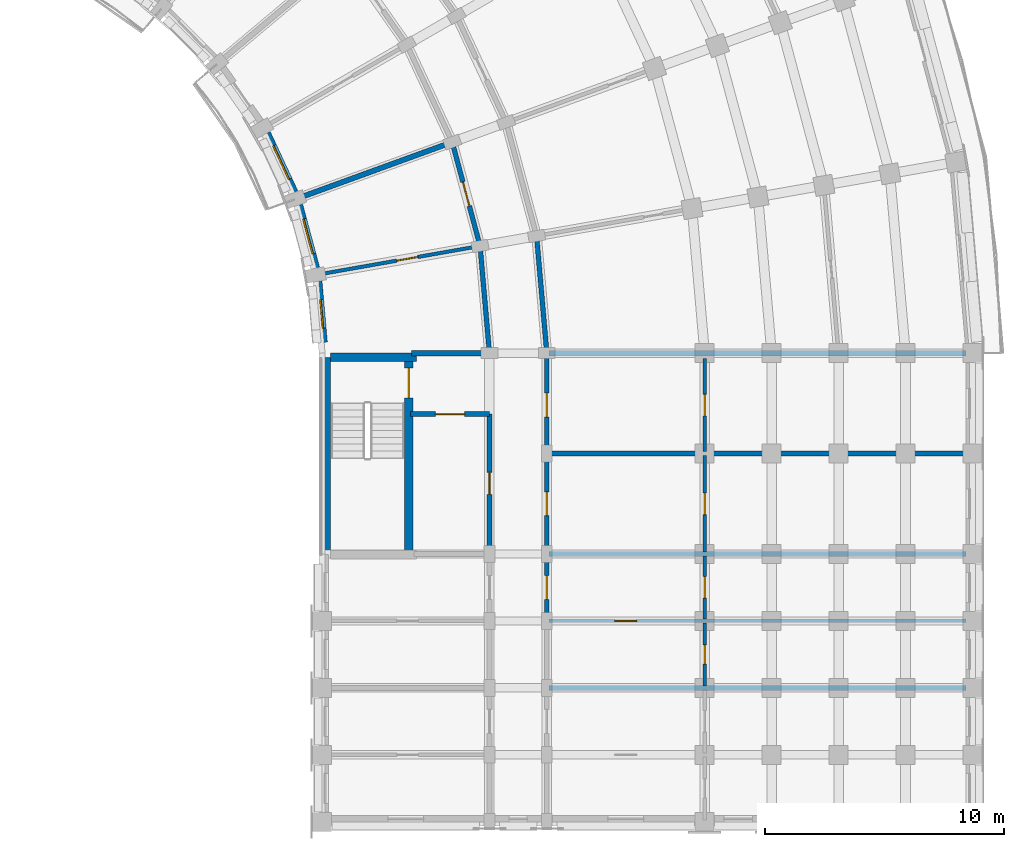
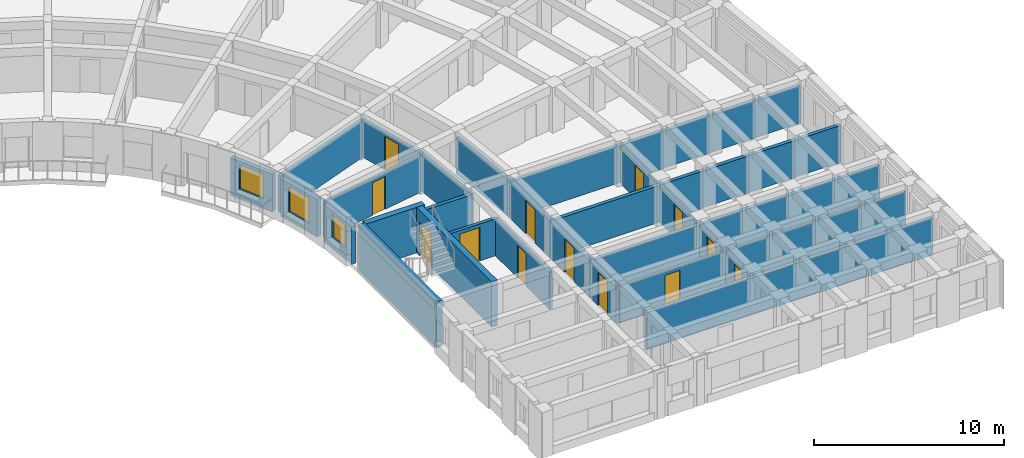
# One storey, part 32 of 54: 26 walls, 13 doors, 3 windows, 16 openings.
"""IFC4 building model written with IfcOpenShell, lengths in metres."""

from ifc_helpers import new_model, si_unit, direction, frame, frame_2d, origin, place, context, subcontext, project, spatial, rectangle, extrude, material, layer, layer_set, type_object, element, fill, save


model = new_model("IFC4")

# Units and contexts
model_context = context("Model", 3, precision=1e-05, world=origin(), true_north=direction((0.0, 1.0)))
body_context = subcontext(model_context, "Body", "Model", "MODEL_VIEW")
ifc_project = project(units=[si_unit("LENGTHUNIT", "METRE"), si_unit("AREAUNIT", "SQUARE_METRE"), si_unit("VOLUMEUNIT", "CUBIC_METRE"), si_unit("PLANEANGLEUNIT", "RADIAN"), si_unit("MASSUNIT", "GRAM", prefix="KILO")], contexts=[model_context])

# Site, building, storey
site_placement = place(None, origin())
site = spatial("IfcSite", under=ifc_project, at=site_placement, CompositionType="ELEMENT")
building_placement = place(site_placement, origin())
building = spatial("IfcBuilding", under=site, at=building_placement, Name="Kiranvali Square Residences", CompositionType="ELEMENT")
storey_placement = place(building_placement, frame((0.0, 0.0, 11.85009765625)))
storey = spatial("IfcBuildingStorey", under=building, at=storey_placement, Name="L03", CompositionType="ELEMENT", Elevation=11.85009765625)

# Wall, opening, door
ifc_material_1 = material(Name="Autoclaved aerated concrete blockwork masonry", Category="masonry")
ifc_layer_1 = layer(ifc_material_1, 0.199951171875)
ifc_layer_set_1 = layer_set([ifc_layer_1], Name="Autoclaved aerated concrete blockwork masonry")
wall_type_1 = type_object("IfcWallType", Name="WL-COR-200", PredefinedType="STANDARD", material=ifc_layer_set_1)
wall_1_placement = place(storey_placement, frame((142.300048828125, 85.25, 0.0), z_axis=(0.0, 0.0, 1.0), x_axis=(1.0, 0.0, 0.0)))
wall_1 = element("IfcWall", 1, at=wall_1_placement, inside=storey, type_object=wall_type_1, Name="L03 architectural wall WL-L03-B-S3-V", PredefinedType="STANDARD", context=body_context, shape_type="SweptSolid", body=[
    extrude(rectangle(XDim=3.300048828125, YDim=0.199951171875, at=frame_2d((1.64990234375, 0.0))), origin(), (0.0, 0.0, 1.0), 2.371826171875),
])
opening_1_placement = place(wall_1_placement, frame((1.0400390625, 0.0, 0.0)))
opening_1 = element("IfcOpeningElement", 2, at=opening_1_placement, cuts=wall_1, Name="Opening FD-COR-60", PredefinedType="OPENING", context=body_context, shape_type="SweptSolid", body=[
    extrude(rectangle(XDim=1.219970703125, YDim=2.14990234375, at=frame_2d((0.60986328125, 1.074951171875))), frame((0.0, 0.10986328125, 0.0), z_axis=(0.0, -1.0, 0.0), x_axis=(1.0, 0.0, 0.0)), (0.0, 0.0, 1.0), 0.219970703125),
])
ifc_material_2 = material(Name="Fire-rated acoustic hardwood and mineral-core door assembly", Category="wood")
door_type_1 = type_object("IfcDoorType", Name="DR-FD60-1200", OperationType="NOTDEFINED", PredefinedType="DOOR", material=ifc_material_2)
door_1_placement = place(opening_1_placement, origin())
door_1 = element("IfcDoor", 3, at=door_1_placement, inside=storey, type_object=door_type_1, Name="L03 door DR-L03-1137 (DR-FD60-1200)", OperationType="SINGLE_SWING_LEFT", OverallHeight=2.14990234375, OverallWidth=1.219970703125, PredefinedType="DOOR", context=body_context, shape_type="SweptSolid", body=[
    extrude(rectangle(XDim=1.219970703125, YDim=2.14990234375, at=frame_2d((0.60986328125, 1.074951171875))), frame((0.0, 0.02490234375, 0.0), z_axis=(0.0, -1.0, 0.0), x_axis=(1.0, 0.0, 0.0)), (0.0, 0.0, 1.0), 0.050048828125),
])
fill(opening_1, door_1)

wall_2_placement = place(storey_placement, frame((145.60009765625, 85.25, 0.0), z_axis=(0.0, 0.0, 1.0), x_axis=(0.0, -1.0, 0.0)))
wall_2 = element("IfcWall", 4, at=wall_2_placement, inside=storey, type_object=wall_type_1, Name="L03 architectural wall WL-L03-B-S3-COR", PredefinedType="STANDARD", context=body_context, shape_type="SweptSolid", body=[
    extrude(rectangle(XDim=5.800048828125, YDim=0.199951171875, at=frame_2d((2.89990234375, 0.0))), origin(), (0.0, 0.0, 1.0), 2.371826171875),
])
opening_2_placement = place(wall_2_placement, frame((2.43994140625, 0.0, 0.0)))
opening_2 = element("IfcOpeningElement", 5, at=opening_2_placement, cuts=wall_2, Name="Opening FD-SVC-120", PredefinedType="OPENING", context=body_context, shape_type="SweptSolid", body=[
    extrude(rectangle(XDim=0.919921875, YDim=2.10009765625, at=frame_2d((0.4599609375, 1.050048828125))), frame((0.0, 0.10986328125, 0.0), z_axis=(0.0, -1.0, 0.0), x_axis=(1.0, 0.0, 0.0)), (0.0, 0.0, 1.0), 0.219970703125),
])
door_type_2 = type_object("IfcDoorType", Name="DR-SVC-900", OperationType="NOTDEFINED", PredefinedType="DOOR", material=ifc_material_2)
door_2_placement = place(opening_2_placement, frame((0.919921875, 0.0, 0.0), z_axis=(0.0, 0.0, 1.0), x_axis=(-1.0, 0.0, 0.0)))
door_2 = element("IfcDoor", 6, at=door_2_placement, inside=storey, type_object=door_type_2, Name="L03 door DR-L03-1138 (DR-SVC-900)", OperationType="SINGLE_SWING_RIGHT", OverallHeight=2.10009765625, OverallWidth=0.919921875, PredefinedType="DOOR", context=body_context, shape_type="SweptSolid", body=[
    extrude(rectangle(XDim=0.919921875, YDim=2.10009765625, at=frame_2d((0.4599609375, 1.050048828125))), frame((0.0, 0.02490234375, 0.0), z_axis=(0.0, -1.0, 0.0), x_axis=(1.0, 0.0, 0.0)), (0.0, 0.0, 1.0), 0.050048828125),
])
fill(opening_2, door_2)

wall_3_placement = place(storey_placement, frame((144.044189453125, 96.6240234375, 0.0), z_axis=(0.0, 0.0, 1.0), x_axis=(0.258787642463, -0.965934240054, 0.0)))
wall_3 = element("IfcWall", 7, at=wall_3_placement, inside=storey, type_object=wall_type_1, Name="L03 architectural wall WL-L03-B-CCI-7", PredefinedType="STANDARD", context=body_context, shape_type="SweptSolid", body=[
    extrude(rectangle(XDim=4.497314453125, YDim=0.199951171875, at=frame_2d((2.24853515625, 0.0))), origin(), (0.0, 0.0, 1.0), 2.371826171875),
])
opening_3_placement = place(wall_3_placement, frame((1.728515625, 0.0, 0.0)))
opening_3 = element("IfcOpeningElement", 8, at=opening_3_placement, cuts=wall_3, Name="Opening FD-APT-60B", PredefinedType="OPENING", context=body_context, shape_type="SweptSolid", body=[
    extrude(rectangle(XDim=1.0400390625, YDim=2.14990234375, at=frame_2d((0.52001953125, 1.074951171875))), frame((0.0, 0.10986328125, 0.0), z_axis=(0.0, -1.0, 0.0), x_axis=(1.0, 0.0, 0.0)), (0.0, 0.0, 1.0), 0.219970703125),
])
door_type_3 = type_object("IfcDoorType", Name="DR-APT-1040", OperationType="NOTDEFINED", PredefinedType="DOOR", material=ifc_material_2)
door_3_placement = place(opening_3_placement, frame((1.0400390625, 0.0, 0.0), z_axis=(0.0, 0.0, 1.0), x_axis=(-1.0, 0.0, 0.0)))
door_3 = element("IfcDoor", 9, at=door_3_placement, inside=storey, type_object=door_type_3, Name="L03 door DR-L03-1178 (DR-APT-1040)", OperationType="SINGLE_SWING_RIGHT", OverallHeight=2.14990234375, OverallWidth=1.0400390625, PredefinedType="DOOR", context=body_context, shape_type="SweptSolid", body=[
    extrude(rectangle(XDim=1.0400390625, YDim=2.14990234375, at=frame_2d((0.52001953125, 1.074951171875))), frame((0.0, 0.02490234375, 0.0), z_axis=(0.0, -1.0, 0.0), x_axis=(1.0, 0.0, 0.0)), (0.0, 0.0, 1.0), 0.050048828125),
])
fill(opening_3, door_3)

# Walls
wall_4_placement = place(storey_placement, frame((145.2080078125, 92.280029296875, 0.0), z_axis=(0.0, 0.0, 1.0), x_axis=(0.087187153726, -0.996191949488, 0.0)))
element("IfcWall", 10, at=wall_4_placement, inside=storey, type_object=wall_type_1, Name="L03 architectural wall WL-L03-B-CCI-8", PredefinedType="STANDARD", context=body_context, shape_type="SweptSolid", body=[
    extrude(rectangle(XDim=4.4970703125, YDim=0.199951171875, at=frame_2d((2.24853515625, 0.0))), origin(), (0.0, 0.0, 1.0), 2.371826171875),
])
wall_5_placement = place(storey_placement, frame((147.571533203125, 92.69677734375, 0.0), z_axis=(0.0, 0.0, 1.0), x_axis=(0.087167566415, -0.996193663584, 0.0)))
element("IfcWall", 11, at=wall_5_placement, inside=storey, type_object=wall_type_1, Name="L03 architectural wall WL-L03-B-CCO-8", PredefinedType="STANDARD", context=body_context, shape_type="SweptSolid", body=[
    extrude(rectangle(XDim=4.91552734375, YDim=0.199951171875, at=frame_2d((2.457763671875, 0.0))), origin(), (0.0, 0.0, 1.0), 2.371826171875),
])

# Wall, opening, door
wall_6_placement = place(storey_placement, frame((148.0, 87.64990234375, 0.0), z_axis=(0.0, 0.0, 1.0), x_axis=(0.0, -1.0, 0.0)))
wall_6 = element("IfcWall", 12, at=wall_6_placement, inside=storey, type_object=wall_type_1, Name="L03 architectural wall WL-L03-B-A2CF-C0", PredefinedType="STANDARD", context=body_context, shape_type="SweptSolid", body=[
    extrude(rectangle(XDim=4.0498046875, YDim=0.199951171875, at=frame_2d((2.02490234375, 0.0))), origin(), (0.0, 0.0, 1.0), 2.371826171875),
])
opening_4_placement = place(wall_6_placement, frame((1.52490234375, 0.0, 0.0)))
opening_4 = element("IfcOpeningElement", 13, at=opening_4_placement, cuts=wall_6, Name="Opening FD-APT-60", PredefinedType="OPENING", context=body_context, shape_type="SweptSolid", body=[
    extrude(rectangle(XDim=1.0, YDim=2.14990234375, at=frame_2d((0.5, 1.074951171875))), frame((0.0, 0.10986328125, 0.0), z_axis=(0.0, -1.0, 0.0), x_axis=(1.0, 0.0, 0.0)), (0.0, 0.0, 1.0), 0.219970703125),
])
door_type_4 = type_object("IfcDoorType", Name="DR-APT-1000", OperationType="NOTDEFINED", PredefinedType="DOOR", material=ifc_material_2)
door_4_placement = place(opening_4_placement, origin())
door_4 = element("IfcDoor", 14, at=door_4_placement, inside=storey, type_object=door_type_4, Name="L03 door DR-L03-1179 (DR-APT-1000)", OperationType="SINGLE_SWING_LEFT", OverallHeight=2.14990234375, OverallWidth=1.0, PredefinedType="DOOR", context=body_context, shape_type="SweptSolid", body=[
    extrude(rectangle(XDim=1.0, YDim=2.14990234375, at=frame_2d((0.5, 1.074951171875))), frame((0.0, 0.02490234375, 0.0), z_axis=(0.0, -1.0, 0.0), x_axis=(1.0, 0.0, 0.0)), (0.0, 0.0, 1.0), 0.050048828125),
])
fill(opening_4, door_4)

wall_7_placement = place(storey_placement, frame((148.0, 83.60009765625, 0.0), z_axis=(0.0, 0.0, 1.0), x_axis=(0.0, -1.0, 0.0)))
wall_7 = element("IfcWall", 15, at=wall_7_placement, inside=storey, type_object=wall_type_1, Name="L03 architectural wall WL-L03-B-A2CF-C1", PredefinedType="STANDARD", context=body_context, shape_type="SweptSolid", body=[
    extrude(rectangle(XDim=4.2001953125, YDim=0.199951171875, at=frame_2d((2.10009765625, 0.0))), origin(), (0.0, 0.0, 1.0), 2.371826171875),
])
opening_5_placement = place(wall_7_placement, frame((1.60009765625, 0.0, 0.0)))
opening_5 = element("IfcOpeningElement", 16, at=opening_5_placement, cuts=wall_7, Name="Opening FD-APT-60", PredefinedType="OPENING", context=body_context, shape_type="SweptSolid", body=[
    extrude(rectangle(XDim=1.0, YDim=2.14990234375, at=frame_2d((0.5, 1.074951171875))), frame((0.0, 0.10986328125, 0.0), z_axis=(0.0, -1.0, 0.0), x_axis=(1.0, 0.0, 0.0)), (0.0, 0.0, 1.0), 0.219970703125),
])
door_5_placement = place(opening_5_placement, origin())
door_5 = element("IfcDoor", 17, at=door_5_placement, inside=storey, type_object=door_type_4, Name="L03 door DR-L03-1181 (DR-APT-1000)", OperationType="SINGLE_SWING_LEFT", OverallHeight=2.14990234375, OverallWidth=1.0, PredefinedType="DOOR", context=body_context, shape_type="SweptSolid", body=[
    extrude(rectangle(XDim=1.0, YDim=2.14990234375, at=frame_2d((0.5, 1.074951171875))), frame((0.0, 0.02490234375, 0.0), z_axis=(0.0, -1.0, 0.0), x_axis=(1.0, 0.0, 0.0)), (0.0, 0.0, 1.0), 0.050048828125),
])
fill(opening_5, door_5)

wall_8_placement = place(storey_placement, frame((148.0, 79.39990234375, 0.0), z_axis=(0.0, 0.0, 1.0), x_axis=(0.0, -1.0, 0.0)))
wall_8 = element("IfcWall", 18, at=wall_8_placement, inside=storey, type_object=wall_type_1, Name="L03 architectural wall WL-L03-B-A2CO-0", PredefinedType="STANDARD", context=body_context, shape_type="SweptSolid", body=[
    extrude(rectangle(XDim=2.7998046875, YDim=0.199951171875, at=frame_2d((1.39990234375, 0.0))), origin(), (0.0, 0.0, 1.0), 2.371826171875),
])
opening_6_placement = place(wall_8_placement, frame((0.89990234375, 0.0, 0.0)))
opening_6 = element("IfcOpeningElement", 19, at=opening_6_placement, cuts=wall_8, Name="Opening FD-APT-60", PredefinedType="OPENING", context=body_context, shape_type="SweptSolid", body=[
    extrude(rectangle(XDim=1.0, YDim=2.14990234375, at=frame_2d((0.5, 1.074951171875))), frame((0.0, 0.10986328125, 0.0), z_axis=(0.0, -1.0, 0.0), x_axis=(1.0, 0.0, 0.0)), (0.0, 0.0, 1.0), 0.219970703125),
])
door_6_placement = place(opening_6_placement, origin())
door_6 = element("IfcDoor", 20, at=door_6_placement, inside=storey, type_object=door_type_4, Name="L03 door DR-L03-1185 (DR-APT-1000)", OperationType="SINGLE_SWING_LEFT", OverallHeight=2.14990234375, OverallWidth=1.0, PredefinedType="DOOR", context=body_context, shape_type="SweptSolid", body=[
    extrude(rectangle(XDim=1.0, YDim=2.14990234375, at=frame_2d((0.5, 1.074951171875))), frame((0.0, 0.02490234375, 0.0), z_axis=(0.0, -1.0, 0.0), x_axis=(1.0, 0.0, 0.0)), (0.0, 0.0, 1.0), 0.050048828125),
])
fill(opening_6, door_6)

# Walls
ifc_layer_2 = layer(ifc_material_1, 0.219970703125)
ifc_layer_set_2 = layer_set([ifc_layer_2], Name="Autoclaved aerated concrete blockwork masonry")
wall_type_2 = type_object("IfcWallType", Name="WL-DEM-220", PredefinedType="STANDARD", material=ifc_layer_set_2)
wall_9_placement = place(storey_placement, frame((137.654052734375, 94.29833984375, 0.0), z_axis=(0.0, 0.0, 1.0), x_axis=(0.939696231917, 0.342010221662, 0.0)))
element("IfcWall", 21, at=wall_9_placement, inside=storey, type_object=wall_type_2, Name="L03 architectural wall WL-L03-B-RADI-7", PredefinedType="STANDARD", context=body_context, shape_type="SweptSolid", body=[
    extrude(rectangle(XDim=6.75, YDim=0.219970703125, at=frame_2d((3.375, 0.0))), origin(), (0.0, 0.0, 1.0), 2.371826171875),
])
wall_10_placement = place(storey_placement, frame((142.35009765625, 87.800048828125, 0.0), z_axis=(0.0, 0.0, 1.0), x_axis=(1.0, 0.0, 0.0)))
element("IfcWall", 22, at=wall_10_placement, inside=storey, type_object=wall_type_2, Name="L03 architectural wall WL-L03-B-RADI-9", PredefinedType="STANDARD", context=body_context, shape_type="SweptSolid", body=[
    extrude(rectangle(XDim=3.199951171875, YDim=0.219970703125, at=frame_2d((1.60009765625, 0.0))), origin(), (0.0, 0.0, 1.0), 2.371826171875),
])
wall_11_placement = place(storey_placement, frame((148.050048828125, 83.60009765625, 0.0), z_axis=(0.0, 0.0, 1.0), x_axis=(1.0, 0.0, 0.0)))
element("IfcWall", 23, at=wall_11_placement, inside=storey, type_object=wall_type_2, Name="L03 architectural wall WL-L03-B-A2CF-MID", PredefinedType="STANDARD", context=body_context, shape_type="SweptSolid", body=[
    extrude(rectangle(XDim=17.530029296875, YDim=0.219970703125, at=frame_2d((8.76513671875, 0.0))), origin(), (0.0, 0.0, 1.0), 2.371826171875),
])
for number, where, z_axis, x_axis, name in (
    (24, (148.10009765625, 79.39990234375, 0.0), (0.0, 0.0, 1.0), (1.0, 0.0, 0.0), "L03 architectural wall WL-L03-B-A2TO-0"),
    (25, (148.10009765625, 73.800048828125, 0.0), (0.0, 0.0, 1.0), (1.0, 0.0, 0.0), "L03 architectural wall WL-L03-B-A2TO-2"),
):
    element("IfcWall", number, at=place(storey_placement, frame(where, z_axis=z_axis, x_axis=x_axis)), inside=storey, type_object=wall_type_2, Name=name, PredefinedType="STANDARD", context=body_context, shape_type="SweptSolid", body=[
        extrude(rectangle(XDim=17.419921875, YDim=0.219970703125, at=frame_2d((8.7099609375, 0.0))), origin(), (0.0, 0.0, 1.0), 2.371826171875),
    ])
ifc_layer_3 = layer(ifc_material_1, 0.22998046875)
ifc_layer_set_3 = layer_set([ifc_layer_3], Name="Autoclaved aerated concrete blockwork masonry")
wall_type_3 = type_object("IfcWallType", Name="WL-DEM-230", PredefinedType="STANDARD", material=ifc_layer_set_3)
wall_12_placement = place(storey_placement, frame((148.10009765625, 87.800048828125, 0.0), z_axis=(0.0, 0.0, 1.0), x_axis=(1.0, 0.0, 0.0)))
element("IfcWall", 26, at=wall_12_placement, inside=storey, type_object=wall_type_3, Name="L03 architectural wall WL-L03-B-RADO-9", PredefinedType="STANDARD", context=body_context, shape_type="SweptSolid", body=[
    extrude(rectangle(XDim=17.419921875, YDim=0.22998046875, at=frame_2d((8.7099609375, 0.0))), origin(), (0.0, 0.0, 1.0), 2.371826171875),
])

# Wall, opening, window
ifc_material_3 = material(Name="Breathable lime-rendered clay brick masonry", Category="masonry")
ifc_layer_4 = layer(ifc_material_3, 0.27490234375)
ifc_layer_set_4 = layer_set([ifc_layer_4], Name="Breathable lime-rendered clay brick masonry")
wall_type_4 = type_object("IfcWallType", Name="WL-EXT-275", PredefinedType="STANDARD", material=ifc_layer_set_4)
wall_13_placement = place(storey_placement, frame((136.312744140625, 96.999267578125, 0.0), z_axis=(0.0, 0.0, 1.0), x_axis=(0.422610022166, -0.906311629168, 0.0)))
wall_13 = element("IfcWall", 27, at=wall_13_placement, inside=storey, type_object=wall_type_4, Name="L03 exterior wall B-L03-GDN-06", PredefinedType="STANDARD", context=body_context, shape_type="SweptSolid", body=[
    extrude(rectangle(XDim=2.717529296875, YDim=0.27490234375, at=frame_2d((1.35888671875, 0.0))), origin(), (0.0, 0.0, 1.0), 2.421875),
])
opening_7_placement = place(wall_13_placement, frame((0.583740234375, 0.0, 0.6220703125)))
opening_7 = element("IfcOpeningElement", 28, at=opening_7_placement, cuts=wall_13, Name="Opening W-18", PredefinedType="OPENING", context=body_context, shape_type="SweptSolid", body=[
    extrude(rectangle(XDim=1.550048828125, YDim=1.60009765625, at=frame_2d((0.77490234375, 0.800048828125))), frame((0.0, 0.1474609375, 0.0), z_axis=(0.0, -1.0, 0.0), x_axis=(1.0, 0.0, 0.0)), (0.0, 0.0, 1.0), 0.294921875),
])
ifc_material_4 = material(Name="Solar-control low-e double glazing", Category="glass")
window_type_1 = type_object("IfcWindowType", Name="WIN-GDN-1550x1600", PartitioningType="DOUBLE_PANEL_VERTICAL", PredefinedType="WINDOW", material=ifc_material_4)
window_1_placement = place(opening_7_placement, origin())
window_1 = element("IfcWindow", 29, at=window_1_placement, inside=storey, type_object=window_type_1, Name="L03 recessed window B-L03-GDN-06", OverallHeight=1.60009765625, OverallWidth=1.550048828125, PartitioningType="DOUBLE_PANEL_VERTICAL", PredefinedType="WINDOW", context=body_context, shape_type="SweptSolid", body=[
    extrude(rectangle(XDim=1.550048828125, YDim=1.60009765625, at=frame_2d((0.77490234375, 0.800048828125))), frame((0.0, 0.030029296875, 0.0), z_axis=(0.0, -1.0, 0.0), x_axis=(1.0, 0.0, 0.0)), (0.0, 0.0, 1.0), 0.06005859375),
])
fill(opening_7, window_1)

wall_14_placement = place(storey_placement, frame((137.659423828125, 93.9921875, 0.0), z_axis=(0.0, 0.0, 1.0), x_axis=(0.258819907011, -0.965925595341, 0.0)))
wall_14 = element("IfcWall", 30, at=wall_14_placement, inside=storey, type_object=wall_type_4, Name="L03 exterior wall B-L03-GDN-07", PredefinedType="STANDARD", context=body_context, shape_type="SweptSolid", body=[
    extrude(rectangle(XDim=2.717529296875, YDim=0.27490234375, at=frame_2d((1.35888671875, 0.0))), origin(), (0.0, 0.0, 1.0), 2.421875),
])
opening_8_placement = place(wall_14_placement, frame((0.608642578125, 0.0, 0.572021484375)))
opening_8 = element("IfcOpeningElement", 31, at=opening_8_placement, cuts=wall_14, Name="Opening W-05", PredefinedType="OPENING", context=body_context, shape_type="SweptSolid", body=[
    extrude(rectangle(XDim=1.5, YDim=1.64990234375, at=frame_2d((0.75, 0.824951171875))), frame((0.0, 0.1474609375, 0.0), z_axis=(0.0, -1.0, 0.0), x_axis=(1.0, 0.0, 0.0)), (0.0, 0.0, 1.0), 0.294921875),
])
window_type_2 = type_object("IfcWindowType", Name="WIN-RES-1500x1650", PartitioningType="DOUBLE_PANEL_VERTICAL", PredefinedType="WINDOW", material=ifc_material_4)
window_2_placement = place(opening_8_placement, origin())
window_2 = element("IfcWindow", 32, at=window_2_placement, inside=storey, type_object=window_type_2, Name="L03 recessed window B-L03-GDN-07", OverallHeight=1.64990234375, OverallWidth=1.5, PartitioningType="DOUBLE_PANEL_VERTICAL", PredefinedType="WINDOW", context=body_context, shape_type="SweptSolid", body=[
    extrude(rectangle(XDim=1.5, YDim=1.64990234375, at=frame_2d((0.75, 0.824951171875))), frame((0.0, 0.030029296875, 0.0), z_axis=(0.0, -1.0, 0.0), x_axis=(1.0, 0.0, 0.0)), (0.0, 0.0, 1.0), 0.06005859375),
])
fill(opening_8, window_2)

wall_15_placement = place(storey_placement, frame((138.46337890625, 90.796875, 0.0), z_axis=(0.0, 0.0, 1.0), x_axis=(0.08716102895, -0.996194235595, 0.0)))
wall_15 = element("IfcWall", 33, at=wall_15_placement, inside=storey, type_object=wall_type_4, Name="L03 exterior wall B-L03-GDN-08", PredefinedType="STANDARD", context=body_context, shape_type="SweptSolid", body=[
    extrude(rectangle(XDim=2.557373046875, YDim=0.27490234375, at=frame_2d((1.27880859375, 0.0))), origin(), (0.0, 0.0, 1.0), 2.421875),
])
opening_9_placement = place(wall_15_placement, frame((0.7587890625, 0.0, 0.721923828125)))
opening_9 = element("IfcOpeningElement", 34, at=opening_9_placement, cuts=wall_15, Name="Opening W-06", PredefinedType="OPENING", context=body_context, shape_type="SweptSolid", body=[
    extrude(rectangle(XDim=1.199951171875, YDim=1.5, at=frame_2d((0.60009765625, 0.75))), frame((0.0, 0.1474609375, 0.0), z_axis=(0.0, -1.0, 0.0), x_axis=(1.0, 0.0, 0.0)), (0.0, 0.0, 1.0), 0.294921875),
])
window_type_3 = type_object("IfcWindowType", Name="WIN-RES-1200x1500", PartitioningType="SINGLE_PANEL", PredefinedType="WINDOW", material=ifc_material_4)
window_3_placement = place(opening_9_placement, origin())
window_3 = element("IfcWindow", 35, at=window_3_placement, inside=storey, type_object=window_type_3, Name="L03 recessed window B-L03-GDN-08", OverallHeight=1.5, OverallWidth=1.199951171875, PartitioningType="SINGLE_PANEL", PredefinedType="WINDOW", context=body_context, shape_type="SweptSolid", body=[
    extrude(rectangle(XDim=1.199951171875, YDim=1.5, at=frame_2d((0.60009765625, 0.75))), frame((0.0, 0.030029296875, 0.0), z_axis=(0.0, -1.0, 0.0), x_axis=(1.0, 0.0, 0.0)), (0.0, 0.0, 1.0), 0.06005859375),
])
fill(opening_9, window_3)

# Wall, opening, door
ifc_material_5 = material(Name="Acoustic gypsum board drylined partition", Category="gypsum")
ifc_layer_5 = layer(ifc_material_5, 0.14990234375)
ifc_layer_set_5 = layer_set([ifc_layer_5], Name="Acoustic gypsum board drylined partition")
wall_type_5 = type_object("IfcWallType", Name="WL-PRT-150", PredefinedType="PARTITIONING", material=ifc_layer_set_5)
wall_16_placement = place(storey_placement, frame((138.51123046875, 91.099365234375, 0.0), z_axis=(0.0, 0.0, 1.0), x_axis=(0.984807944945, 0.173647089161, 0.0)))
wall_16 = element("IfcWall", 36, at=wall_16_placement, inside=storey, type_object=wall_type_5, Name="L03 architectural wall WL-L03-B-RADI-8", PredefinedType="PARTITIONING", context=body_context, shape_type="SweptSolid", body=[
    extrude(rectangle(XDim=6.75, YDim=0.14990234375, at=frame_2d((3.375, 0.0))), origin(), (0.0, 0.0, 1.0), 2.371826171875),
])
opening_10_placement = place(wall_16_placement, frame((3.262451171875, 0.0, 0.0)))
opening_10 = element("IfcOpeningElement", 37, at=opening_10_placement, cuts=wall_16, Name="Opening ID-1", PredefinedType="OPENING", context=body_context, shape_type="SweptSolid", body=[
    extrude(rectangle(XDim=0.89990234375, YDim=2.10009765625, at=frame_2d((0.449951171875, 1.050048828125))), frame((0.0, 0.0849609375, 0.0), z_axis=(0.0, -1.0, 0.0), x_axis=(1.0, 0.0, 0.0)), (0.0, 0.0, 1.0), 0.169921875),
])
ifc_material_6 = material(Name="Solid seasoned teak hardwood joinery", Category="wood")
door_type_5 = type_object("IfcDoorType", Name="DR-INT-900", OperationType="NOTDEFINED", PredefinedType="DOOR", material=ifc_material_6)
door_7_placement = place(opening_10_placement, frame((0.89990234375, 0.0, 0.0), z_axis=(0.0, 0.0, 1.0), x_axis=(-1.0, 0.0, 0.0)))
door_7 = element("IfcDoor", 38, at=door_7_placement, inside=storey, type_object=door_type_5, Name="L03 door DR-L03-1164 (DR-INT-900)", OperationType="SINGLE_SWING_RIGHT", OverallHeight=2.10009765625, OverallWidth=0.89990234375, PredefinedType="DOOR", context=body_context, shape_type="SweptSolid", body=[
    extrude(rectangle(XDim=0.89990234375, YDim=2.10009765625, at=frame_2d((0.449951171875, 1.050048828125))), frame((0.0, 0.02490234375, 0.0), z_axis=(0.0, -1.0, 0.0), x_axis=(1.0, 0.0, 0.0)), (0.0, 0.0, 1.0), 0.050048828125),
])
fill(opening_10, door_7)

wall_17_placement = place(storey_placement, frame((154.60009765625, 87.570068359375, 0.0), z_axis=(0.0, 0.0, 1.0), x_axis=(0.0, -1.0, 0.0)))
wall_17 = element("IfcWall", 39, at=wall_17_placement, inside=storey, type_object=wall_type_5, Name="L03 architectural wall WL-L03-B-A2CF-SP0", PredefinedType="PARTITIONING", context=body_context, shape_type="SweptSolid", body=[
    extrude(rectangle(XDim=3.89013671875, YDim=0.14990234375, at=frame_2d((1.945068359375, 0.0))), origin(), (0.0, 0.0, 1.0), 2.371826171875),
])
opening_11_placement = place(wall_17_placement, frame((1.4951171875, 0.0, 0.0)))
opening_11 = element("IfcOpeningElement", 40, at=opening_11_placement, cuts=wall_17, Name="Opening ID-1", PredefinedType="OPENING", context=body_context, shape_type="SweptSolid", body=[
    extrude(rectangle(XDim=0.89990234375, YDim=2.10009765625, at=frame_2d((0.449951171875, 1.050048828125))), frame((0.0, 0.0849609375, 0.0), z_axis=(0.0, -1.0, 0.0), x_axis=(1.0, 0.0, 0.0)), (0.0, 0.0, 1.0), 0.169921875),
])
door_8_placement = place(opening_11_placement, frame((0.89990234375, 0.0, 0.0), z_axis=(0.0, 0.0, 1.0), x_axis=(-1.0, 0.0, 0.0)))
door_8 = element("IfcDoor", 41, at=door_8_placement, inside=storey, type_object=door_type_5, Name="L03 door DR-L03-1180 (DR-INT-900)", OperationType="SINGLE_SWING_RIGHT", OverallHeight=2.10009765625, OverallWidth=0.89990234375, PredefinedType="DOOR", context=body_context, shape_type="SweptSolid", body=[
    extrude(rectangle(XDim=0.89990234375, YDim=2.10009765625, at=frame_2d((0.449951171875, 1.050048828125))), frame((0.0, 0.02490234375, 0.0), z_axis=(0.0, -1.0, 0.0), x_axis=(1.0, 0.0, 0.0)), (0.0, 0.0, 1.0), 0.050048828125),
])
fill(opening_11, door_8)

wall_18_placement = place(storey_placement, frame((154.60009765625, 83.52001953125, 0.0), z_axis=(0.0, 0.0, 1.0), x_axis=(0.0, -1.0, 0.0)))
wall_18 = element("IfcWall", 42, at=wall_18_placement, inside=storey, type_object=wall_type_5, Name="L03 architectural wall WL-L03-B-A2CF-SP1", PredefinedType="PARTITIONING", context=body_context, shape_type="SweptSolid", body=[
    extrude(rectangle(XDim=4.0400390625, YDim=0.14990234375, at=frame_2d((2.02001953125, 0.0))), origin(), (0.0, 0.0, 1.0), 2.371826171875),
])
opening_12_placement = place(wall_18_placement, frame((1.570068359375, 0.0, 0.0)))
opening_12 = element("IfcOpeningElement", 43, at=opening_12_placement, cuts=wall_18, Name="Opening ID-1", PredefinedType="OPENING", context=body_context, shape_type="SweptSolid", body=[
    extrude(rectangle(XDim=0.89990234375, YDim=2.10009765625, at=frame_2d((0.449951171875, 1.050048828125))), frame((0.0, 0.0849609375, 0.0), z_axis=(0.0, -1.0, 0.0), x_axis=(1.0, 0.0, 0.0)), (0.0, 0.0, 1.0), 0.169921875),
])
door_9_placement = place(opening_12_placement, frame((0.89990234375, 0.0, 0.0), z_axis=(0.0, 0.0, 1.0), x_axis=(-1.0, 0.0, 0.0)))
door_9 = element("IfcDoor", 44, at=door_9_placement, inside=storey, type_object=door_type_5, Name="L03 door DR-L03-1182 (DR-INT-900)", OperationType="SINGLE_SWING_RIGHT", OverallHeight=2.10009765625, OverallWidth=0.89990234375, PredefinedType="DOOR", context=body_context, shape_type="SweptSolid", body=[
    extrude(rectangle(XDim=0.89990234375, YDim=2.10009765625, at=frame_2d((0.449951171875, 1.050048828125))), frame((0.0, 0.02490234375, 0.0), z_axis=(0.0, -1.0, 0.0), x_axis=(1.0, 0.0, 0.0)), (0.0, 0.0, 1.0), 0.050048828125),
])
fill(opening_12, door_9)

wall_19_placement = place(storey_placement, frame((148.10009765625, 76.60009765625, 0.0), z_axis=(0.0, 0.0, 1.0), x_axis=(1.0, 0.0, 0.0)))
wall_19 = element("IfcWall", 45, at=wall_19_placement, inside=storey, type_object=wall_type_5, Name="L03 architectural wall WL-L03-B-A2TO-1", PredefinedType="PARTITIONING", context=body_context, shape_type="SweptSolid", body=[
    extrude(rectangle(XDim=17.419921875, YDim=0.14990234375, at=frame_2d((8.7099609375, 0.0))), origin(), (0.0, 0.0, 1.0), 2.371826171875),
])
opening_13_placement = place(wall_19_placement, frame((2.75, 0.0, 0.0)))
opening_13 = element("IfcOpeningElement", 46, at=opening_13_placement, cuts=wall_19, Name="Opening ID-1", PredefinedType="OPENING", context=body_context, shape_type="SweptSolid", body=[
    extrude(rectangle(XDim=0.89990234375, YDim=2.10009765625, at=frame_2d((0.449951171875, 1.050048828125))), frame((0.0, 0.0849609375, 0.0), z_axis=(0.0, -1.0, 0.0), x_axis=(1.0, 0.0, 0.0)), (0.0, 0.0, 1.0), 0.169921875),
])
door_10_placement = place(opening_13_placement, frame((0.89990234375, 0.0, 0.0), z_axis=(0.0, 0.0, 1.0), x_axis=(-1.0, 0.0, 0.0)))
door_10 = element("IfcDoor", 47, at=door_10_placement, inside=storey, type_object=door_type_5, Name="L03 door DR-L03-1188 (DR-INT-900)", OperationType="SINGLE_SWING_RIGHT", OverallHeight=2.10009765625, OverallWidth=0.89990234375, PredefinedType="DOOR", context=body_context, shape_type="SweptSolid", body=[
    extrude(rectangle(XDim=0.89990234375, YDim=2.10009765625, at=frame_2d((0.449951171875, 1.050048828125))), frame((0.0, 0.02490234375, 0.0), z_axis=(0.0, -1.0, 0.0), x_axis=(1.0, 0.0, 0.0)), (0.0, 0.0, 1.0), 0.050048828125),
])
fill(opening_13, door_10)

# Wall
ifc_material_7 = material(Name="Concrete M50 (50 MPa)", Category="concrete")
ifc_layer_6 = layer(ifc_material_7, 0.35009765625)
ifc_layer_set_6 = layer_set([ifc_layer_6], Name="Concrete M50 (50 MPa)")
wall_type_6 = type_object("IfcWallType", Name="WL-SHR-350", PredefinedType="SHEAR", material=ifc_layer_set_6)
wall_20_placement = place(storey_placement, frame((138.77490234375, 87.625, 0.0), z_axis=(0.0, 0.0, 1.0), x_axis=(0.0, -1.0, 0.0)))
element("IfcWall", 48, at=wall_20_placement, inside=storey, type_object=wall_type_6, Name="Block B core shear wall SW-B3-OUT-L03", PredefinedType="SHEAR", context=body_context, shape_type="SweptSolid", body=[
    extrude(rectangle(XDim=8.25, YDim=0.35009765625, at=frame_2d((4.125, 0.0))), origin(), (0.0, 0.0, 1.0), 2.929931640625),
])

# Wall, opening, door
wall_21_placement = place(storey_placement, frame((142.22509765625, 87.449951171875, 0.0), z_axis=(0.0, 0.0, 1.0), x_axis=(0.0, -1.0, 0.0)))
wall_21 = element("IfcWall", 49, at=wall_21_placement, inside=storey, type_object=wall_type_6, Name="Block B core shear wall SW-B3-IN-L03", PredefinedType="SHEAR", context=body_context, shape_type="SweptSolid", body=[
    extrude(rectangle(XDim=7.89990234375, YDim=0.35009765625, at=frame_2d((3.949951171875, 0.0))), origin(), (0.0, 0.0, 1.0), 2.929931640625),
])
opening_14_placement = place(wall_21_placement, frame((0.280029296875, 0.0, 0.0)))
opening_14 = element("IfcOpeningElement", 50, at=opening_14_placement, cuts=wall_21, Name="Opening FD-ST-120", PredefinedType="OPENING", context=body_context, shape_type="SweptSolid", body=[
    extrude(rectangle(XDim=1.239990234375, YDim=2.14990234375, at=frame_2d((0.6201171875, 1.074951171875))), frame((0.0, 0.18505859375, 0.0), z_axis=(0.0, -1.0, 0.0), x_axis=(1.0, 0.0, 0.0)), (0.0, 0.0, 1.0), 0.3701171875),
])
door_type_6 = type_object("IfcDoorType", Name="DR-FD120-1200", OperationType="NOTDEFINED", PredefinedType="DOOR", material=ifc_material_2)
door_11_placement = place(opening_14_placement, frame((1.239990234375, 0.0, 0.0), z_axis=(0.0, 0.0, 1.0), x_axis=(-1.0, 0.0, 0.0)))
door_11 = element("IfcDoor", 51, at=door_11_placement, inside=storey, type_object=door_type_6, Name="L03 door DR-L03-1133 (DR-FD120-1200)", OperationType="SINGLE_SWING_LEFT", OverallHeight=2.14990234375, OverallWidth=1.239990234375, PredefinedType="DOOR", context=body_context, shape_type="SweptSolid", body=[
    extrude(rectangle(XDim=1.239990234375, YDim=2.14990234375, at=frame_2d((0.6201171875, 1.074951171875))), frame((0.0, 0.02490234375, 0.0), z_axis=(0.0, -1.0, 0.0), x_axis=(1.0, 0.0, 0.0)), (0.0, 0.0, 1.0), 0.050048828125),
])
fill(opening_14, door_11)

# Wall
wall_22_placement = place(storey_placement, frame((138.949951171875, 87.625, 0.0), z_axis=(0.0, 0.0, 1.0), x_axis=(1.0, 0.0, 0.0)))
element("IfcWall", 52, at=wall_22_placement, inside=storey, type_object=wall_type_6, Name="Block B core shear wall SW-B3-NEAR-L03", PredefinedType="SHEAR", context=body_context, shape_type="SweptSolid", body=[
    extrude(rectangle(XDim=3.60009765625, YDim=0.35009765625, at=frame_2d((1.800048828125, 0.0))), origin(), (0.0, 0.0, 1.0), 2.929931640625),
])

# Wall, opening, door
ifc_layer_7 = layer(ifc_material_1, 0.14990234375)
ifc_layer_set_7 = layer_set([ifc_layer_7], Name="Autoclaved aerated concrete blockwork masonry")
wall_type_7 = type_object("IfcWallType", Name="WL-WET-150", PredefinedType="PLUMBINGWALL", material=ifc_layer_set_7)
wall_23_placement = place(storey_placement, frame((154.60009765625, 79.320068359375, 0.0), z_axis=(0.0, 0.0, 1.0), x_axis=(0.0, -1.0, 0.0)))
wall_23 = element("IfcWall", 53, at=wall_23_placement, inside=storey, type_object=wall_type_7, Name="L03 architectural wall WL-L03-B-A2SP-0", PredefinedType="PLUMBINGWALL", context=body_context, shape_type="SweptSolid", body=[
    extrude(rectangle(XDim=2.64013671875, YDim=0.14990234375, at=frame_2d((1.320068359375, 0.0))), origin(), (0.0, 0.0, 1.0), 2.371826171875),
])
opening_15_placement = place(wall_23_placement, frame((0.8701171875, 0.0, 0.0)))
opening_15 = element("IfcOpeningElement", 54, at=opening_15_placement, cuts=wall_23, Name="Opening ID-1", PredefinedType="OPENING", context=body_context, shape_type="SweptSolid", body=[
    extrude(rectangle(XDim=0.89990234375, YDim=2.10009765625, at=frame_2d((0.449951171875, 1.050048828125))), frame((0.0, 0.0849609375, 0.0), z_axis=(0.0, -1.0, 0.0), x_axis=(1.0, 0.0, 0.0)), (0.0, 0.0, 1.0), 0.169921875),
])
door_12_placement = place(opening_15_placement, frame((0.89990234375, 0.0, 0.0), z_axis=(0.0, 0.0, 1.0), x_axis=(-1.0, 0.0, 0.0)))
door_12 = element("IfcDoor", 55, at=door_12_placement, inside=storey, type_object=door_type_5, Name="L03 door DR-L03-1184 (DR-INT-900)", OperationType="SINGLE_SWING_RIGHT", OverallHeight=2.10009765625, OverallWidth=0.89990234375, PredefinedType="DOOR", context=body_context, shape_type="SweptSolid", body=[
    extrude(rectangle(XDim=0.89990234375, YDim=2.10009765625, at=frame_2d((0.449951171875, 1.050048828125))), frame((0.0, 0.02490234375, 0.0), z_axis=(0.0, -1.0, 0.0), x_axis=(1.0, 0.0, 0.0)), (0.0, 0.0, 1.0), 0.050048828125),
])
fill(opening_15, door_12)

wall_24_placement = place(storey_placement, frame((154.60009765625, 76.52001953125, 0.0), z_axis=(0.0, 0.0, 1.0), x_axis=(0.0, -1.0, 0.0)))
wall_24 = element("IfcWall", 56, at=wall_24_placement, inside=storey, type_object=wall_type_7, Name="L03 architectural wall WL-L03-B-A2SP-1", PredefinedType="PLUMBINGWALL", context=body_context, shape_type="SweptSolid", body=[
    extrude(rectangle(XDim=2.64013671875, YDim=0.14990234375, at=frame_2d((1.320068359375, 0.0))), origin(), (0.0, 0.0, 1.0), 2.371826171875),
])
opening_16_placement = place(wall_24_placement, frame((0.919921875, 0.0, 0.0)))
opening_16 = element("IfcOpeningElement", 57, at=opening_16_placement, cuts=wall_24, Name="Opening ID-WET", PredefinedType="OPENING", context=body_context, shape_type="SweptSolid", body=[
    extrude(rectangle(XDim=0.800048828125, YDim=2.10009765625, at=frame_2d((0.39990234375, 1.050048828125))), frame((0.0, 0.0849609375, 0.0), z_axis=(0.0, -1.0, 0.0), x_axis=(1.0, 0.0, 0.0)), (0.0, 0.0, 1.0), 0.169921875),
])
door_type_7 = type_object("IfcDoorType", Name="DR-WET-800", OperationType="NOTDEFINED", PredefinedType="DOOR", material=ifc_material_6)
door_13_placement = place(opening_16_placement, frame((0.800048828125, 0.0, 0.0), z_axis=(0.0, 0.0, 1.0), x_axis=(-1.0, 0.0, 0.0)))
door_13 = element("IfcDoor", 58, at=door_13_placement, inside=storey, type_object=door_type_7, Name="L03 door DR-L03-1186 (DR-WET-800)", OperationType="SINGLE_SWING_RIGHT", OverallHeight=2.10009765625, OverallWidth=0.800048828125, PredefinedType="DOOR", context=body_context, shape_type="SweptSolid", body=[
    extrude(rectangle(XDim=0.800048828125, YDim=2.10009765625, at=frame_2d((0.39990234375, 1.050048828125))), frame((0.0, 0.02490234375, 0.0), z_axis=(0.0, -1.0, 0.0), x_axis=(1.0, 0.0, 0.0)), (0.0, 0.0, 1.0), 0.050048828125),
])
fill(opening_16, door_13)

save(model, "model.ifc")
